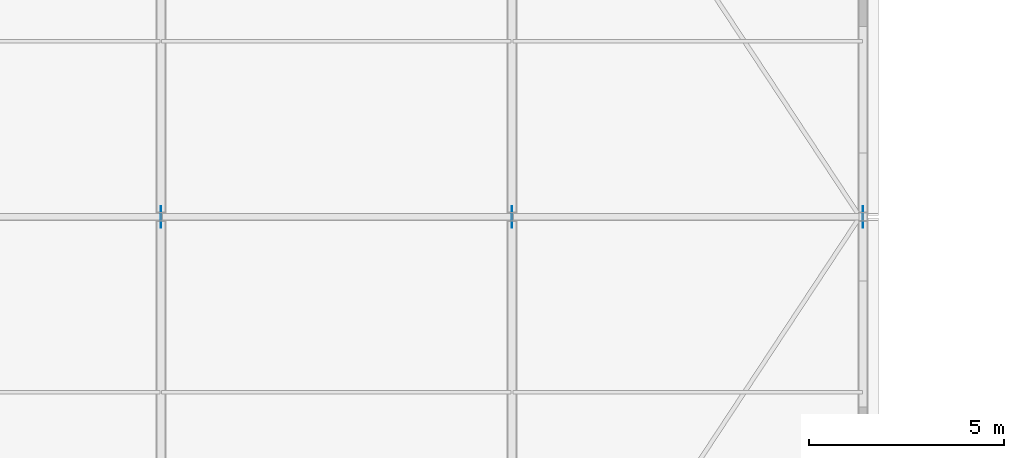
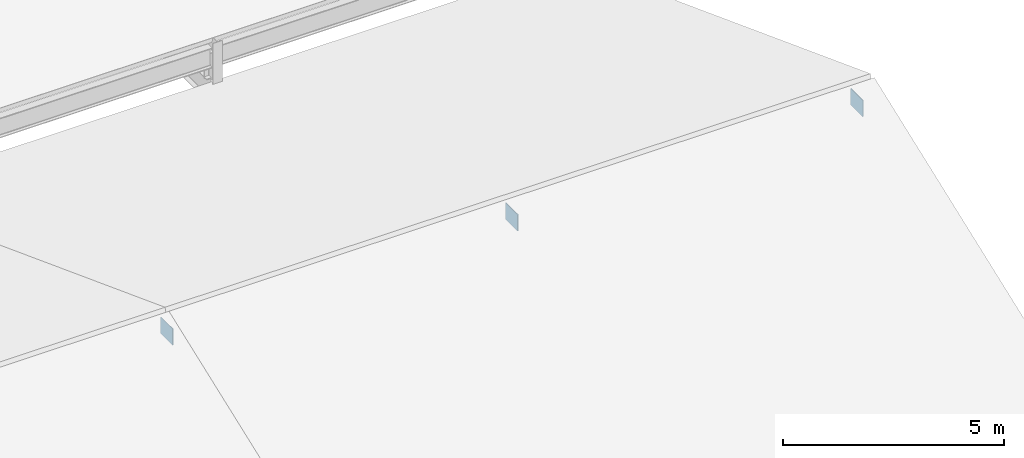
# One storey, part 132 of 163: 3 plates.
"""IFC4 building model written with IfcOpenShell, lengths in metres."""

from ifc_helpers import new_model, si_unit, direction, frame, origin, origin_2d, place, context, subcontext, project, spatial, rectangle, extrude, material, layer, layer_set, type_object, element, save


model = new_model("IFC4")

# Units and contexts
model_context = context("Model", 3, precision=1e-05, world=origin(), true_north=direction((0.0, 1.0)))
body_context = subcontext(model_context, "Body", "Model", "MODEL_VIEW")
ifc_project = project(units=[si_unit("LENGTHUNIT", "METRE"), si_unit("AREAUNIT", "SQUARE_METRE"), si_unit("VOLUMEUNIT", "CUBIC_METRE"), si_unit("PLANEANGLEUNIT", "RADIAN"), si_unit("MASSUNIT", "GRAM", prefix="KILO")], contexts=[model_context])

# Site, building, storey
site_placement = place(None, origin())
site = spatial("IfcSite", under=ifc_project, at=site_placement, CompositionType="ELEMENT")
building_placement = place(site_placement, origin())
building = spatial("IfcBuilding", under=site, at=building_placement, Name="Tharagai Park Tramway Depot", CompositionType="ELEMENT")
storey_placement = place(building_placement, frame((0.0, 0.0, 8.39990234375)))
storey = spatial("IfcBuildingStorey", under=building, at=storey_placement, Name="L02", CompositionType="ELEMENT", Elevation=8.39990234375)

# Plates
ifc_material = material(Name="Steel E350", Category="steel")
ifc_layer_1 = layer(ifc_material, 0.02392578125)
ifc_layer_set_1 = layer_set([ifc_layer_1], Name="Steel E350")
plate_type_1 = type_object("IfcPlateType", Name="GP-02", PredefinedType="SHEET", material=ifc_layer_set_1)
plate_placement = place(storey_placement, frame((81.0, 76.5, 4.22119140625), z_axis=(0.0, 0.0, 1.0), x_axis=(1.0, 0.0, 0.0)))
element("IfcPlate", 1, at=plate_placement, inside=storey, type_object=plate_type_1, Name="V2B Ridge Gusset Plate GP-02", PredefinedType="SHEET", context=body_context, shape_type="SweptSolid", body=[
    extrude(rectangle(XDim=0.02392578125, YDim=0.550048828125, at=origin_2d()), origin(), (0.0, 0.0, 1.0), 0.449951171875),
])
ifc_layer_2 = layer(ifc_material, 0.01611328125)
ifc_layer_set_2 = layer_set([ifc_layer_2], Name="Steel E350")
plate_type_2 = type_object("IfcPlateType", Name="GP-03", PredefinedType="SHEET", material=ifc_layer_set_2)
for number, where, z_axis, x_axis, name in (
    (2, (72.0, 76.5, 4.22119140625), (0.0, 0.0, 1.0), (1.0, 0.0, 0.0), "V2B Ridge Gusset Plate GP-03"),
    (3, (90.0, 76.5, 4.22119140625), (0.0, 0.0, 1.0), (1.0, 0.0, 0.0), "V2B Ridge Gusset Plate GP-03"),
):
    element("IfcPlate", number, at=place(storey_placement, frame(where, z_axis=z_axis, x_axis=x_axis)), inside=storey, type_object=plate_type_2, Name=name, PredefinedType="SHEET", context=body_context, shape_type="SweptSolid", body=[
        extrude(rectangle(XDim=0.01611328125, YDim=0.550048828125, at=origin_2d()), origin(), (0.0, 0.0, 1.0), 0.449951171875),
    ])

save(model, "model.ifc")
